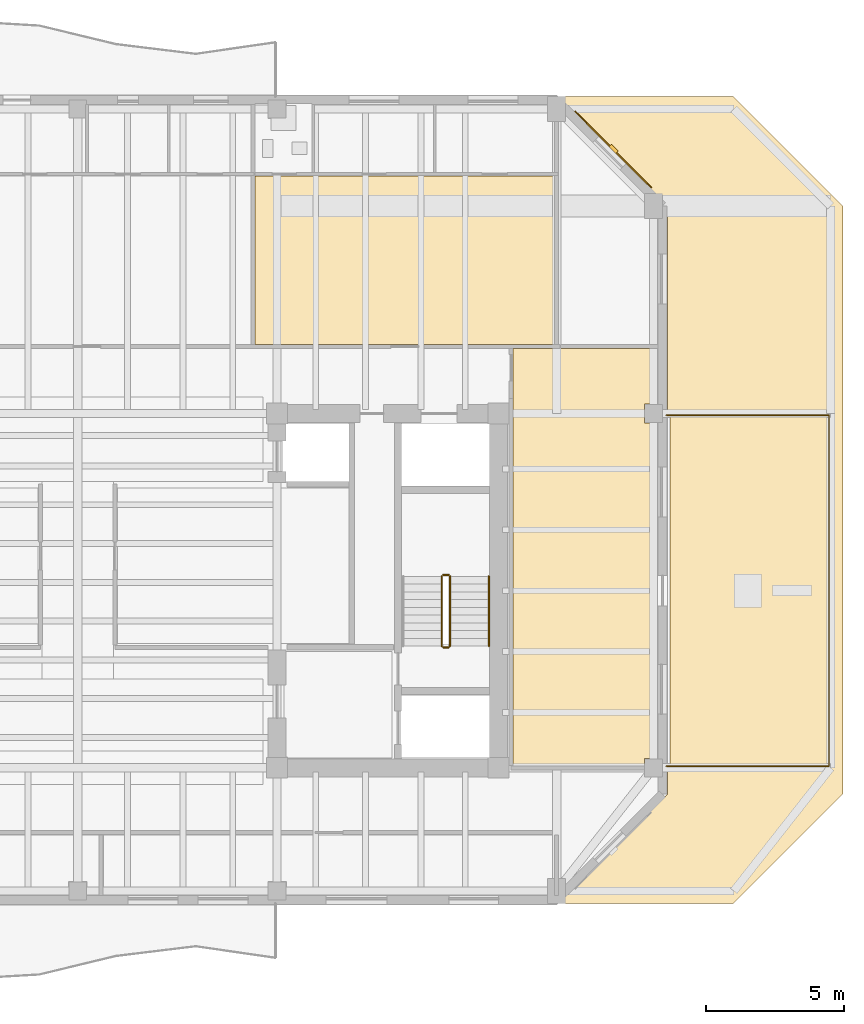
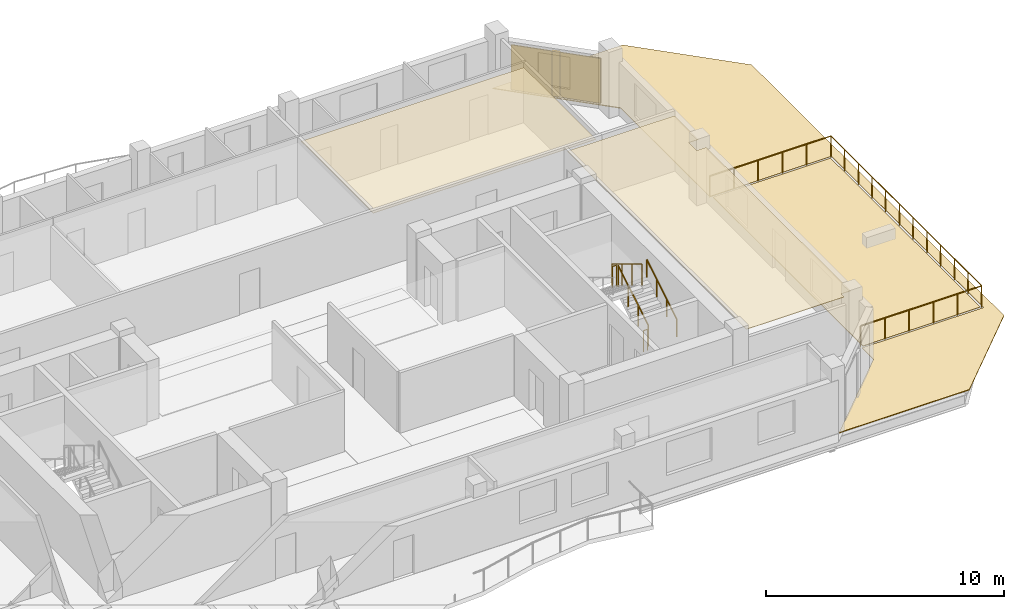
# One storey, part 9 of 10: 6 railings, 5 coverings, 1 shading device.
"""IFC4 building model written with IfcOpenShell, lengths in metres."""

from ifc_helpers import new_model, si_unit, direction, frame, origin, origin_2d, place, context, subcontext, project, spatial, polyline, rectangle, circle, outline, extrude, material, layer, layer_set, type_object, element, save


model = new_model("IFC4")

# Units and contexts
model_context = context("Model", 3, precision=1e-05, world=origin(), true_north=direction((0.0, 1.0)))
body_context = subcontext(model_context, "Body", "Model", "MODEL_VIEW")
ifc_project = project(units=[si_unit("LENGTHUNIT", "METRE"), si_unit("AREAUNIT", "SQUARE_METRE"), si_unit("VOLUMEUNIT", "CUBIC_METRE"), si_unit("PLANEANGLEUNIT", "RADIAN"), si_unit("MASSUNIT", "GRAM", prefix="KILO")], contexts=[model_context])

# Site, building, storey
site_placement = place(None, origin())
site = spatial("IfcSite", under=ifc_project, at=site_placement, CompositionType="ELEMENT")
building_placement = place(site_placement, origin())
building = spatial("IfcBuilding", under=site, at=building_placement, Name="Kranthara Brick Stack", CompositionType="ELEMENT")
storey_placement = place(building_placement, frame((0.0, 0.0, 268.699951171875)))
storey = spatial("IfcBuildingStorey", under=building, at=storey_placement, Name="L71", CompositionType="ELEMENT", Elevation=268.699951171875)

# Coverings
ifc_material_1 = material(Name="Perforated mineral-fibre acoustic ceiling tile", Category="other")
ifc_layer_1 = layer(ifc_material_1, 0.02490234375)
ifc_layer_set_1 = layer_set([ifc_layer_1], Name="Perforated mineral-fibre acoustic ceiling tile")
covering_type_1 = type_object("IfcCoveringType", Name="COV-CEIL-ACOUSTIC", PredefinedType="CEILING", material=ifc_layer_set_1)
covering_1_placement = place(storey_placement, frame((0.0, 0.0, 2.830078125)))
element("IfcCovering", 1, at=covering_1_placement, inside=storey, type_object=covering_type_1, Name="L71 Unit L71C 1-Bed Apartment Living Dining Acoustic Ceiling", PredefinedType="CEILING", context=body_context, shape_type="SweptSolid", body=[
    extrude(outline(polyline([(45.219970703125, 36.10009765625), (45.219970703125, 42.169921875), (34.409912109375, 42.169921875), (34.409912109375, 36.10009765625), (45.219970703125, 36.10009765625)])), origin(), (0.0, 0.0, 1.0), 0.02490234375),
])
covering_2_placement = place(storey_placement, frame((0.0, 0.0, 2.830078125)))
element("IfcCovering", 2, at=covering_2_placement, inside=storey, type_object=covering_type_1, Name="L71 L71 East Panoramic Sky Conservatory Acoustic Ceiling", PredefinedType="CEILING", context=body_context, shape_type="SweptSolid", body=[
    extrude(outline(polyline([(43.72998046875, 35.93994140625), (48.929931640625, 35.93994140625), (48.929931640625, 33.93505859375), (48.465087890625, 33.93505859375), (48.465087890625, 33.264892578125), (48.929931640625, 33.264892578125), (48.929931640625, 21.135009765625), (48.465087890625, 21.135009765625), (48.465087890625, 20.8798828125), (43.72998046875, 20.8798828125), (43.72998046875, 35.93994140625)])), origin(), (0.0, 0.0, 1.0), 0.02490234375),
])
ifc_material_2 = material(Name="Warm buff kiln-fired brick slip rainscreen", Category="masonry")
ifc_layer_2 = layer(ifc_material_2, 0.044921875)
ifc_layer_set_2 = layer_set([ifc_layer_2], Name="Warm buff kiln-fired brick slip rainscreen")
covering_type_2 = type_object("IfcCoveringType", Name="COV-CLAD-BRICK", PredefinedType="CLADDING", material=ifc_layer_set_2)
covering_3_placement = place(storey_placement, frame((47.33740234375, 43.13720703125, 0.0498046875), z_axis=(0.0, 0.0, 1.0), x_axis=(0.707106781187, -0.707106781187, 0.0)))
element("IfcCovering", 3, at=covering_3_placement, inside=storey, type_object=covering_type_2, Name="L71 Chamfer Brick Rainscreen Cladding NE", PredefinedType="CLADDING", context=body_context, shape_type="SweptSolid", body=[
    extrude(rectangle(XDim=3.889892578125, YDim=0.044921875, at=origin_2d()), origin(), (0.0, 0.0, 1.0), 2.300048828125),
])
ifc_material_3 = material(Name="EPDM waterproofing membrane and rigid insulation", Category="other")
ifc_layer_3 = layer(ifc_material_3, 0.0400390625)
ifc_layer_set_3 = layer_set([ifc_layer_3], Name="EPDM waterproofing membrane and rigid insulation")
covering_type_3 = type_object("IfcCoveringType", Name="COV-ROOF-MEMB", PredefinedType="ROOFING", material=ifc_layer_set_3)
covering_4_placement = place(storey_placement, frame((0.0, 0.0, -0.0400390625)))
element("IfcCovering", 4, at=covering_4_placement, inside=storey, type_object=covering_type_3, Name="L71 Sky Garden Waterproofing Membrane", PredefinedType="ROOFING", context=body_context, shape_type="SweptSolid", body=[
    extrude(outline(polyline([(49.39990234375, 20.89990234375), (55.10009765625, 20.89990234375), (55.10009765625, 33.5), (49.39990234375, 33.5), (49.39990234375, 20.89990234375)])), origin(), (0.0, 0.0, 1.0), 0.0400390625),
])
covering_5_placement = place(storey_placement, frame((0.0, 0.0, -0.0400390625)))
element("IfcCovering", 5, at=covering_5_placement, inside=storey, type_object=covering_type_3, Name="L71 Setback Flat Roof Waterproofing Membrane 01", PredefinedType="ROOFING", context=body_context, shape_type="SweptSolid", body=[
    extrude(outline(polyline([(51.67919921875, 45.050048828125), (55.64990234375, 41.079345703125), (55.64990234375, 19.87060546875), (51.67919921875, 15.89990234375), (45.35009765625, 15.89990234375), (49.300048828125, 19.85009765625), (49.300048828125, 20.800048828125), (55.199951171875, 20.800048828125), (55.199951171875, 33.60009765625), (49.300048828125, 33.60009765625), (49.300048828125, 41.10009765625), (45.35009765625, 45.050048828125), (51.67919921875, 45.050048828125)])), origin(), (0.0, 0.0, 1.0), 0.0400390625),
])

# Railings
ifc_material_4 = material(Name="Painted galvanized steel stair guardrail", Category="steel")
railing_type_1 = type_object("IfcRailingType", Name="RL-STAIR-GUARD-1100", PredefinedType="GUARDRAIL", material=ifc_material_4)
railing_1_placement = place(storey_placement, frame((41.449951171875, 25.199951171875, 0.170166015625)))
element("IfcRailing", 6, at=railing_1_placement, inside=storey, type_object=railing_type_1, Name="L71 ST02 stair guard 1", PredefinedType="GUARDRAIL", context=body_context, shape_type="SweptSolid", body=[
    extrude(circle(Radius=0.02392578125, at=origin_2d()), frame((0.0, 0.0, 1.076171875), z_axis=(0.0, 0.854821627497, 0.518921945155), x_axis=(-1.0, 0.0, 0.0)), (0.0, 0.0, 1.0), 2.947998046875),
    extrude(circle(Radius=0.02099609375, at=origin_2d()), origin(), (0.0, 0.0, 1.0), 1.052001953125),
    extrude(circle(Radius=0.02099609375, at=origin_2d()), frame((0.0, 0.840087890625, 0.510009765625)), (0.0, 0.0, 1.0), 1.052001953125),
    extrude(circle(Radius=0.02099609375, at=origin_2d()), frame((0.0, 1.679931640625, 1.019775390625)), (0.0, 0.0, 1.0), 1.052001953125),
    extrude(circle(Radius=0.02099609375, at=origin_2d()), frame((0.0, 2.52001953125, 1.52978515625)), (0.0, 0.0, 1.0), 1.052001953125),
])
railing_2_placement = place(storey_placement, frame((41.39990234375, 27.77001953125, 1.699951171875)))
element("IfcRailing", 7, at=railing_2_placement, inside=storey, type_object=railing_type_1, Name="L71 ST02 stair guard 2", PredefinedType="GUARDRAIL", context=body_context, shape_type="SweptSolid", body=[
    extrude(circle(Radius=0.02392578125, at=origin_2d()), frame((0.0, 0.0, 1.076171875), z_axis=(-1.0, 0.0, 0.0), x_axis=(0.0, -1.0, 0.0)), (0.0, 0.0, 1.0), 0.199951171875),
    extrude(circle(Radius=0.02099609375, at=origin_2d()), origin(), (0.0, 0.0, 1.0), 1.052001953125),
    extrude(circle(Radius=0.02099609375, at=origin_2d()), frame((-0.199951171875, 0.0, 0.0)), (0.0, 0.0, 1.0), 1.052001953125),
])
railing_3_placement = place(storey_placement, frame((41.14990234375, 27.719970703125, 1.8701171875)))
element("IfcRailing", 8, at=railing_3_placement, inside=storey, type_object=railing_type_1, Name="L71 ST02 stair guard 3", PredefinedType="GUARDRAIL", context=body_context, shape_type="SweptSolid", body=[
    extrude(circle(Radius=0.02392578125, at=origin_2d()), frame((0.0, 0.0, 1.076171875), z_axis=(0.0, -0.85478489116, 0.518982456201), x_axis=(1.0, 0.0, 0.0)), (0.0, 0.0, 1.0), 2.9482421875),
    extrude(circle(Radius=0.02099609375, at=origin_2d()), origin(), (0.0, 0.0, 1.0), 1.052001953125),
    extrude(circle(Radius=0.02099609375, at=origin_2d()), frame((0.0, -0.840087890625, 0.510009765625)), (0.0, 0.0, 1.0), 1.052001953125),
    extrude(circle(Radius=0.02099609375, at=origin_2d()), frame((0.0, -1.679931640625, 1.02001953125)), (0.0, 0.0, 1.0), 1.052001953125),
    extrude(circle(Radius=0.02099609375, at=origin_2d()), frame((0.0, -2.52001953125, 1.530029296875)), (0.0, 0.0, 1.0), 1.052001953125),
])
railing_4_placement = place(storey_placement, frame((41.39990234375, 25.14990234375, 0.0)))
element("IfcRailing", 9, at=railing_4_placement, inside=storey, type_object=railing_type_1, Name="L71 ST02 stair guard 4", PredefinedType="GUARDRAIL", context=body_context, shape_type="SweptSolid", body=[
    extrude(circle(Radius=0.02392578125, at=origin_2d()), frame((0.0, 0.0, 1.076171875), z_axis=(-1.0, 0.0, 0.0), x_axis=(0.0, -1.0, 0.0)), (0.0, 0.0, 1.0), 0.199951171875),
    extrude(circle(Radius=0.02099609375, at=origin_2d()), origin(), (0.0, 0.0, 1.0), 1.052001953125),
    extrude(circle(Radius=0.02099609375, at=origin_2d()), frame((-0.199951171875, 0.0, 0.0)), (0.0, 0.0, 1.0), 1.052001953125),
])
ifc_material_5 = material(Name="Brushed stainless steel tubular handrail", Category="steel")
railing_type_2 = type_object("IfcRailingType", Name="RL-STAIR-HAND-900", PredefinedType="HANDRAIL", material=ifc_material_5)
railing_5_placement = place(storey_placement, frame((42.85009765625, 25.199951171875, 0.170166015625)))
element("IfcRailing", 10, at=railing_5_placement, inside=storey, type_object=railing_type_2, Name="L71 ST02 stair handrail 1", PredefinedType="HANDRAIL", context=body_context, shape_type="SweptSolid", body=[
    extrude(circle(Radius=0.02392578125, at=origin_2d()), frame((0.0, 0.0, 0.8759765625), z_axis=(0.0, 0.854821627497, 0.518921945155), x_axis=(-1.0, 0.0, 0.0)), (0.0, 0.0, 1.0), 2.947998046875),
    extrude(circle(Radius=0.02099609375, at=origin_2d()), origin(), (0.0, 0.0, 1.0), 0.851806640625),
    extrude(circle(Radius=0.02099609375, at=origin_2d()), frame((0.0, 0.840087890625, 0.510009765625)), (0.0, 0.0, 1.0), 0.851806640625),
    extrude(circle(Radius=0.02099609375, at=origin_2d()), frame((0.0, 1.679931640625, 1.019775390625)), (0.0, 0.0, 1.0), 0.851806640625),
    extrude(circle(Radius=0.02099609375, at=origin_2d()), frame((0.0, 2.52001953125, 1.52978515625)), (0.0, 0.0, 1.0), 0.851806640625),
])
ifc_material_6 = material(Name="Bronze anodised aluminium guardrail", Category="aluminium")
railing_type_3 = type_object("IfcRailingType", Name="RL-TERR-1100", PredefinedType="GUARDRAIL", material=ifc_material_6)
railing_6_placement = place(storey_placement, frame((49.260009765625, 20.860107421875, 0.0)))
element("IfcRailing", 11, at=railing_6_placement, inside=storey, type_object=railing_type_3, Name="L71 Sky Garden Perimeter Guardrail", PredefinedType="GUARDRAIL", context=body_context, shape_type="SweptSolid", body=[
    extrude(circle(Radius=0.02392578125, at=origin_2d()), frame((0.0, 0.0, 1.09619140625), z_axis=(1.0, 0.0, 0.0), x_axis=(0.0, 1.0, 0.0)), (0.0, 0.0, 1.0), 5.8798828125),
    extrude(circle(Radius=0.02392578125, at=origin_2d()), frame((5.8798828125, 0.0, 1.09619140625), z_axis=(0.0, 1.0, 0.0), x_axis=(-1.0, 0.0, 0.0)), (0.0, 0.0, 1.0), 12.679931640625),
    extrude(circle(Radius=0.02392578125, at=origin_2d()), frame((5.8798828125, 12.679931640625, 1.09619140625), z_axis=(-1.0, 0.0, 0.0), x_axis=(0.0, -1.0, 0.0)), (0.0, 0.0, 1.0), 5.8798828125),
    extrude(circle(Radius=0.02099609375, at=origin_2d()), origin(), (0.0, 0.0, 1.0), 1.072021484375),
    extrude(circle(Radius=0.02099609375, at=origin_2d()), frame((1.176025390625, 0.0, 0.0)), (0.0, 0.0, 1.0), 1.072021484375),
    extrude(circle(Radius=0.02099609375, at=origin_2d()), frame((2.35205078125, 0.0, 0.0)), (0.0, 0.0, 1.0), 1.072021484375),
    extrude(circle(Radius=0.02099609375, at=origin_2d()), frame((3.52783203125, 0.0, 0.0)), (0.0, 0.0, 1.0), 1.072021484375),
    extrude(circle(Radius=0.02099609375, at=origin_2d()), frame((4.703857421875, 0.0, 0.0)), (0.0, 0.0, 1.0), 1.072021484375),
    extrude(circle(Radius=0.02099609375, at=origin_2d()), frame((5.8798828125, 0.0, 0.0)), (0.0, 0.0, 1.0), 1.072021484375),
    extrude(circle(Radius=0.02099609375, at=origin_2d()), frame((5.8798828125, 1.15283203125, 0.0)), (0.0, 0.0, 1.0), 1.072021484375),
    extrude(circle(Radius=0.02099609375, at=origin_2d()), frame((5.8798828125, 2.305419921875, 0.0)), (0.0, 0.0, 1.0), 1.072021484375),
    extrude(circle(Radius=0.02099609375, at=origin_2d()), frame((5.8798828125, 3.458251953125, 0.0)), (0.0, 0.0, 1.0), 1.072021484375),
    extrude(circle(Radius=0.02099609375, at=origin_2d()), frame((5.8798828125, 4.61083984375, 0.0)), (0.0, 0.0, 1.0), 1.072021484375),
    extrude(circle(Radius=0.02099609375, at=origin_2d()), frame((5.8798828125, 5.763671875, 0.0)), (0.0, 0.0, 1.0), 1.072021484375),
    extrude(circle(Radius=0.02099609375, at=origin_2d()), frame((5.8798828125, 6.916259765625, 0.0)), (0.0, 0.0, 1.0), 1.072021484375),
    extrude(circle(Radius=0.02099609375, at=origin_2d()), frame((5.8798828125, 8.069091796875, 0.0)), (0.0, 0.0, 1.0), 1.072021484375),
    extrude(circle(Radius=0.02099609375, at=origin_2d()), frame((5.8798828125, 9.2216796875, 0.0)), (0.0, 0.0, 1.0), 1.072021484375),
    extrude(circle(Radius=0.02099609375, at=origin_2d()), frame((5.8798828125, 10.37451171875, 0.0)), (0.0, 0.0, 1.0), 1.072021484375),
    extrude(circle(Radius=0.02099609375, at=origin_2d()), frame((5.8798828125, 11.527099609375, 0.0)), (0.0, 0.0, 1.0), 1.072021484375),
    extrude(circle(Radius=0.02099609375, at=origin_2d()), frame((5.8798828125, 12.679931640625, 0.0)), (0.0, 0.0, 1.0), 1.072021484375),
    extrude(circle(Radius=0.02099609375, at=origin_2d()), frame((4.703857421875, 12.679931640625, 0.0)), (0.0, 0.0, 1.0), 1.072021484375),
    extrude(circle(Radius=0.02099609375, at=origin_2d()), frame((3.52783203125, 12.679931640625, 0.0)), (0.0, 0.0, 1.0), 1.072021484375),
    extrude(circle(Radius=0.02099609375, at=origin_2d()), frame((2.35205078125, 12.679931640625, 0.0)), (0.0, 0.0, 1.0), 1.072021484375),
    extrude(circle(Radius=0.02099609375, at=origin_2d()), frame((1.176025390625, 12.679931640625, 0.0)), (0.0, 0.0, 1.0), 1.072021484375),
    extrude(circle(Radius=0.02099609375, at=origin_2d()), frame((0.0, 12.679931640625, 0.0)), (0.0, 0.0, 1.0), 1.072021484375),
])

# Shading device
ifc_material_7 = material(Name="Kiln-fired terracotta aerodynamic wind fin", Category="masonry")
shading_device_type = type_object("IfcShadingDeviceType", Name="SHD-BAFFLE-CORNER", PredefinedType="SHUTTER", material=ifc_material_7)
shading_device_placement = place(storey_placement, frame((47.3583984375, 43.158447265625, 0.0498046875), z_axis=(0.0, 0.0, 1.0), x_axis=(0.707106781187, -0.707106781187, 0.0)))
element("IfcShadingDevice", 12, at=shading_device_placement, inside=storey, type_object=shading_device_type, Name="L71 Chamfer Wind-Baffle Fin NE", PredefinedType="SHUTTER", context=body_context, shape_type="SweptSolid", body=[
    extrude(rectangle(XDim=0.35009765625, YDim=0.1201171875, at=origin_2d()), origin(), (0.0, 0.0, 1.0), 2.300048828125),
])

save(model, "model.ifc")
